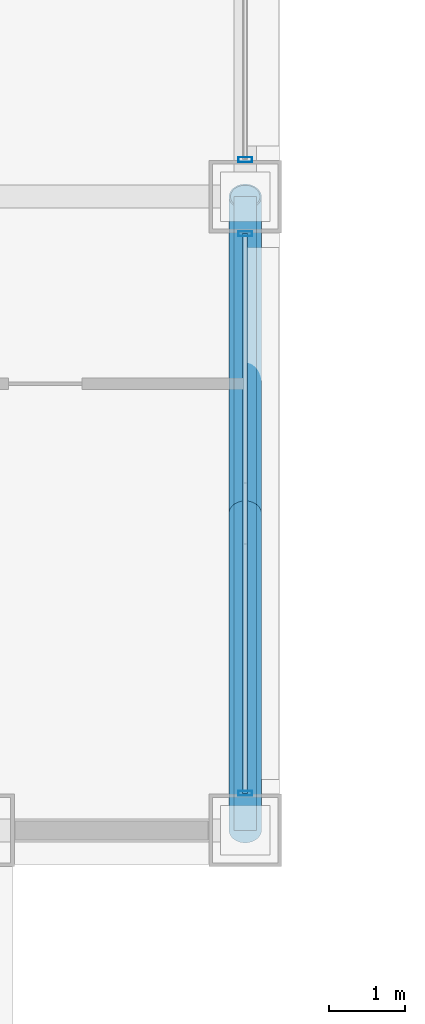
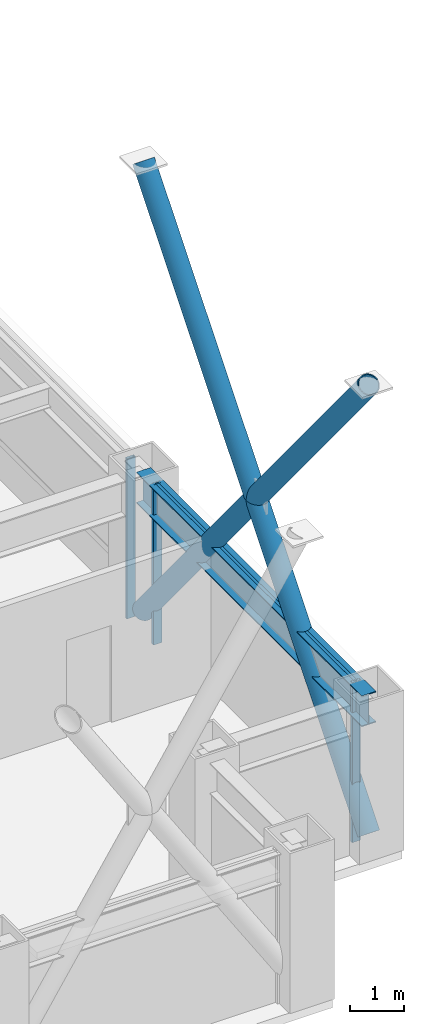
# One storey, part 14 of 34: 7 members, 1 beam, 2 elements without a shape of their own.
"""IFC4 building model written with IfcOpenShell, lengths in metres."""

from ifc_helpers import new_model, si_unit, direction, frame, origin, origin_2d, place, context, subcontext, project, spatial, hollow_rectangle, hollow_circle, i_section, extrude, material, layer, layer_set, material_profile, profile_set, type_object, element, aggregate, save


model = new_model("IFC4")

# Units and contexts
model_context = context("Model", 3, precision=1e-05, world=origin(), true_north=direction((0.0, 1.0)))
body_context = subcontext(model_context, "Body", "Model", "MODEL_VIEW")
ifc_project = project(units=[si_unit("LENGTHUNIT", "METRE"), si_unit("AREAUNIT", "SQUARE_METRE"), si_unit("VOLUMEUNIT", "CUBIC_METRE"), si_unit("PLANEANGLEUNIT", "RADIAN"), si_unit("MASSUNIT", "GRAM", prefix="KILO")], contexts=[model_context])

# Site, building, storey
site_placement = place(None, origin())
site = spatial("IfcSite", under=ifc_project, at=site_placement, CompositionType="ELEMENT")
building_placement = place(site_placement, origin())
building = spatial("IfcBuilding", under=site, at=building_placement, Name="Brelmoor Portico Tower", CompositionType="ELEMENT")
storey_placement = place(building_placement, frame((0.0, 0.0, 45.60009765625)))
storey = spatial("IfcBuildingStorey", under=building, at=storey_placement, Name="L11", CompositionType="ELEMENT", Elevation=45.60009765625)

# Beam
ifc_material_1 = material(Name="Steel Q355B", Category="steel")
ifc_material_profile_1 = material_profile(ifc_material_1, i_section(OverallWidth=0.300048828125, OverallDepth=0.699951171875, WebThickness=0.012939453125, FlangeThickness=0.02392578125, at=origin_2d()), Name="HN 700x300x13x24")
ifc_profile_set_1 = profile_set([ifc_material_profile_1], Name="Steel Q355B")
beam_type = type_object("IfcBeamType", Name="BM-SP-700", PredefinedType="SPANDREL", material=ifc_profile_set_1)
beam_placement = place(storey_placement, frame((24.550048828125, -18.050048828125, 3.0498046875), z_axis=(0.0, 1.0, 0.0), x_axis=(-1.0, 0.0, 0.0)))
element("IfcBeam", 1, at=beam_placement, inside=storey, type_object=beam_type, Name="L11 Perimeter Spandrel Beam SP-22", PredefinedType="SPANDREL", context=body_context, shape_type="SweptSolid", body=[
    extrude(i_section(OverallWidth=0.300048828125, OverallDepth=0.699951171875, WebThickness=0.012939453125, FlangeThickness=0.02392578125, at=origin_2d()), origin(), (0.0, 0.0, 1.0), 8.300048828125),
])

# Members
ifc_material_profile_2 = material_profile(ifc_material_1, hollow_circle(Radius=0.212890625, WallThickness=0.02001953125, at=origin_2d()), Name="CHS 426x20")
ifc_profile_set_2 = profile_set([ifc_material_profile_2], Name="Steel Q355B")
member_type_1 = type_object("IfcMemberType", Name="MB-BELT-DIAG1", PredefinedType="BRACE", material=ifc_profile_set_2)
member_1_placement = place(storey_placement, frame((24.550048828125, -18.050048828125, 0.25), z_axis=(0.0, 0.634910260742, 0.772585892186), x_axis=(-1.0, 0.0, 0.0)))
element("IfcMember", 2, at=member_1_placement, inside=storey, type_object=member_type_1, Name="L11 Continuous Mega-X Brace 024A", PredefinedType="BRACE", context=body_context, shape_type="SweptSolid", body=[
    extrude(hollow_circle(Radius=0.212890625, WallThickness=0.02001953125, at=origin_2d()), origin(), (0.0, 0.0, 1.0), 13.07275390625),
])
member_2_placement = place(storey_placement, frame((24.550048828125, -9.75, 0.25), z_axis=(0.0, -0.634908274247, 0.772587524681), x_axis=(1.0, 0.0, 0.0)))
element("IfcMember", 3, at=member_2_placement, inside=storey, type_object=member_type_1, Name="L11 Split Mega-X Brace 024B1", PredefinedType="BRACE", context=body_context, shape_type="SweptSolid", body=[
    extrude(hollow_circle(Radius=0.212890625, WallThickness=0.02001953125, at=origin_2d()), origin(), (0.0, 0.0, 1.0), 6.5361328125),
])
member_3_placement = place(storey_placement, frame((24.550048828125, -13.89990234375, 5.2998046875), z_axis=(0.0, -0.634912247128, 0.772584259771), x_axis=(1.0, 0.0, 0.0)))
element("IfcMember", 4, at=member_3_placement, inside=storey, type_object=member_type_1, Name="L11 Split Mega-X Brace 024B2", PredefinedType="BRACE", context=body_context, shape_type="SweptSolid", body=[
    extrude(hollow_circle(Radius=0.212890625, WallThickness=0.02001953125, at=origin_2d()), origin(), (0.0, 0.0, 1.0), 6.53662109375),
])

# Curtain wall, members
ifc_material_2 = material(Name="Anodised Aluminium Alloy 6063-T6", Category="aluminium")
ifc_layer_1 = layer(ifc_material_2, 0.179931640625)
ifc_layer_set_1 = layer_set([ifc_layer_1], Name="Anodised Aluminium Alloy 6063-T6")
curtain_wall_type_1 = type_object("IfcCurtainWallType", Name="CW-TOWER-Z1-XB", PredefinedType="NOTDEFINED", material=ifc_layer_set_1)
curtain_wall_1_placement = place(storey_placement, origin())
curtain_wall_1 = element("IfcCurtainWall", 5, at=curtain_wall_1_placement, inside=storey, type_object=curtain_wall_type_1, Name="L11 Curtain Wall CW-L11-4L-1", PredefinedType="NOTDEFINED")
ifc_material_profile_3 = material_profile(ifc_material_2, hollow_rectangle(XDim=0.06494140625, YDim=0.179931640625, WallThickness=0.00390625, at=origin_2d()), Name="ALU MULLION 65x180")
ifc_profile_set_3 = profile_set([ifc_material_profile_3], Name="Anodised Aluminium Alloy 6063-T6")
member_type_2 = type_object("IfcMemberType", Name="MB-CW-MULL-180", PredefinedType="MULLION", material=ifc_profile_set_3)
member_4_placement = place(storey_placement, frame((24.550048828125, -17.56494140625, -0.2001953125), z_axis=(0.0, 0.0, 1.0), x_axis=(0.0, 1.0, 0.0)))
member_4 = element("IfcMember", 6, at=member_4_placement, type_object=member_type_2, Name="CW-L11-4L-1 Mullion 00", PredefinedType="MULLION", context=body_context, shape_type="SweptSolid", body=[
    extrude(hollow_rectangle(XDim=0.06494140625, YDim=0.179931640625, WallThickness=0.00390625, at=origin_2d()), origin(), (0.0, 0.0, 1.0), 3.60009765625),
])
member_5_placement = place(storey_placement, frame((24.550048828125, -10.235107421875, -0.2001953125), z_axis=(0.0, 0.0, 1.0), x_axis=(0.0, 1.0, 0.0)))
member_5 = element("IfcMember", 7, at=member_5_placement, type_object=member_type_2, Name="CW-L11-4L-1 Mullion 01", PredefinedType="MULLION", context=body_context, shape_type="SweptSolid", body=[
    extrude(hollow_rectangle(XDim=0.06494140625, YDim=0.179931640625, WallThickness=0.00390625, at=origin_2d()), origin(), (0.0, 0.0, 1.0), 3.60009765625),
])

# Curtain wall, member
ifc_layer_2 = layer(ifc_material_2, 0.179931640625)
ifc_layer_set_2 = layer_set([ifc_layer_2], Name="Anodised Aluminium Alloy 6063-T6")
curtain_wall_type_2 = type_object("IfcCurtainWallType", Name="CW-TOWER-Z1", PredefinedType="NOTDEFINED", material=ifc_layer_set_2)
curtain_wall_2_placement = place(storey_placement, origin())
curtain_wall_2 = element("IfcCurtainWall", 8, at=curtain_wall_2_placement, inside=storey, type_object=curtain_wall_type_2, Name="L11 Curtain Wall CW-L11-4L-2", PredefinedType="NOTDEFINED")
member_6_placement = place(storey_placement, frame((24.550048828125, -9.264892578125, -0.2001953125), z_axis=(0.0, 0.0, 1.0), x_axis=(0.0, 1.0, 0.0)))
member_6 = element("IfcMember", 9, at=member_6_placement, type_object=member_type_2, Name="CW-L11-4L-2 Mullion 00", PredefinedType="MULLION", context=body_context, shape_type="SweptSolid", body=[
    extrude(hollow_rectangle(XDim=0.06494140625, YDim=0.179931640625, WallThickness=0.00390625, at=origin_2d()), origin(), (0.0, 0.0, 1.0), 3.60009765625),
])
aggregate(curtain_wall_2, [member_6])

# Member
ifc_material_profile_4 = material_profile(ifc_material_2, hollow_rectangle(XDim=0.06494140625, YDim=0.139892578125, WallThickness=0.00390625, at=origin_2d()), Name="ALU TRANSOM 65x140")
ifc_profile_set_4 = profile_set([ifc_material_profile_4], Name="Anodised Aluminium Alloy 6063-T6")
member_type_3 = type_object("IfcMemberType", Name="MB-CW-TRAN-140", PredefinedType="USERDEFINED", material=ifc_profile_set_4)
member_7_placement = place(storey_placement, frame((24.550048828125, -17.56494140625, 3.329833984375), z_axis=(0.0, 1.0, 0.0), x_axis=(-1.0, 0.0, 0.0)))
member_7 = element("IfcMember", 10, at=member_7_placement, type_object=member_type_3, Name="CW-L11-4L-1 Transom 1-00", ObjectType="TRANSOM", PredefinedType="USERDEFINED", context=body_context, shape_type="SweptSolid", body=[
    extrude(hollow_rectangle(XDim=0.06494140625, YDim=0.139892578125, WallThickness=0.00390625, at=origin_2d()), origin(), (0.0, 0.0, 1.0), 7.329833984375),
])

aggregate(curtain_wall_1, [member_4, member_5, member_7])

save(model, "model.ifc")
